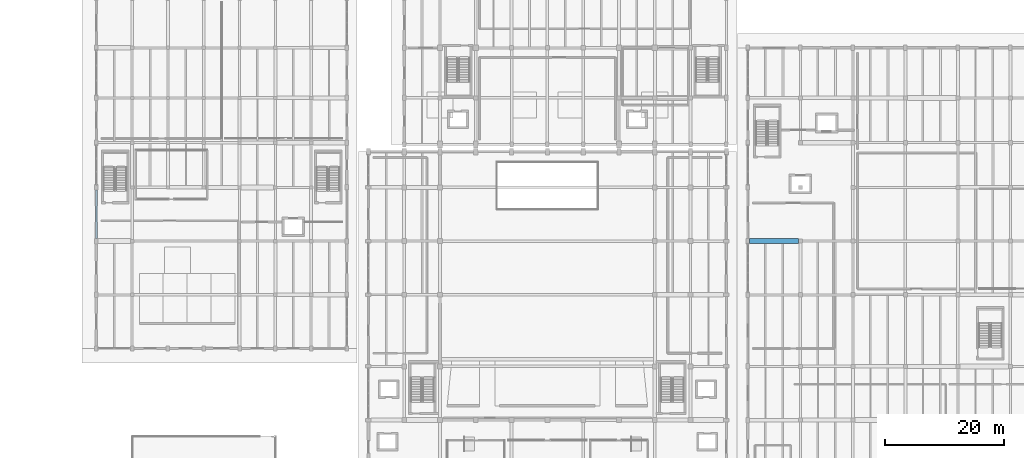
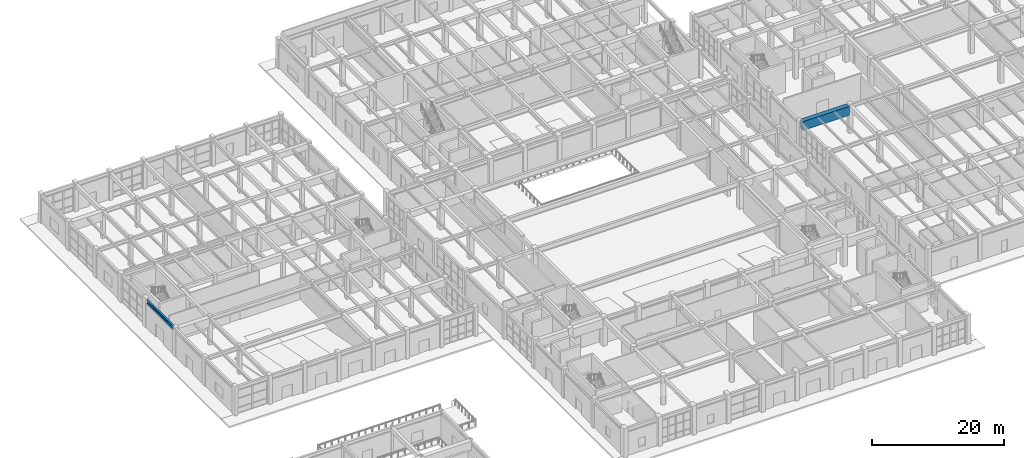
# One storey, part 29 of 91: 2 beams.
"""IFC4 building model written with IfcOpenShell, lengths in metres."""

import ifcopenshell
import ifcopenshell.guid

model = None  # the IFC model being written
_history = None  # IfcOwnerHistory: only IFC2X3 demands one
_inside = {}  # id of a spatial element -> (the spatial element, [elements in it])
_under = {}  # id of a project, library or spatial element -> (it, [spatial elements below it])
_declared = {}  # id of a project -> (the project, [libraries it declares])
_typed = {}  # id of a type object -> (the type object, [elements of that type])
_made_of = {}  # id of a material, layer set ... -> (it, [elements and type objects made of it])


def new_model(schema):
    """Start an empty IFC model of exactly this schema.

    Asked for "IFC4X3", IfcOpenShell would pick the latest addendum, in which some entities
    have other attributes; the version numbers below select the first issue.
    IFC2X3 requires an IfcOwnerHistory on every rooted entity: one is made here for all.
    """
    global model, _history
    if schema == "IFC4X3":
        model = ifcopenshell.file(schema_version=(4, 3, 0, 0))
    else:
        model = ifcopenshell.file(schema=schema)
    _inside.clear()
    _under.clear()
    _declared.clear()
    _typed.clear()
    _made_of.clear()
    _history = None
    if model.schema == "IFC2X3":
        org = make("IfcOrganization", Name="unknown")
        user = make(
            "IfcPersonAndOrganization",
            ThePerson=make("IfcPerson", FamilyName="unknown"),
            TheOrganization=org,
        )
        app = make(
            "IfcApplication",
            ApplicationDeveloper=org,
            Version="unknown",
            ApplicationFullName="unknown",
            ApplicationIdentifier="unknown",
        )
        _history = make(
            "IfcOwnerHistory",
            OwningUser=user,
            OwningApplication=app,
            ChangeAction="ADDED",
            CreationDate=0,
        )
    return model


def make(cls, **values):
    """One entity of the class cls with the attributes given. An attribute that is None is left unset."""
    return model.create_entity(
        cls, **{name: value for name, value in values.items() if value is not None}
    )


def rooted(cls, **values):
    """An entity with a GlobalId (a new one), such as an element, a storey or a relation."""
    return make(cls, GlobalId=ifcopenshell.guid.new(), OwnerHistory=_history, **values)


def si_unit(unit_type, name, prefix=None):
    """IfcSIUnit, for example si_unit("LENGTHUNIT", "METRE", prefix="MILLI")."""
    return make("IfcSIUnit", UnitType=unit_type, Prefix=prefix, Name=name)


def assignment(units):
    """IfcUnitAssignment: the units of a project."""
    return None if units is None else make("IfcUnitAssignment", Units=units)


def point(xyz):
    """IfcCartesianPoint."""
    return None if xyz is None else make("IfcCartesianPoint", Coordinates=xyz)


def direction(xyz):
    """IfcDirection."""
    return None if xyz is None else make("IfcDirection", DirectionRatios=xyz)


def frame(location, z_axis=None, x_axis=None):
    """IfcAxis2Placement3D, a coordinate frame: its origin and axes. An axis left out is left unset."""
    return make(
        "IfcAxis2Placement3D",
        Location=point(location),
        Axis=direction(z_axis),
        RefDirection=direction(x_axis),
    )


def frame_2d(location, x_axis=None):
    """IfcAxis2Placement2D, a coordinate frame in the plane: its origin and x axis."""
    return make(
        "IfcAxis2Placement2D", Location=point(location), RefDirection=direction(x_axis)
    )


def origin():
    """The frame at (0, 0, 0) with its axes left unset."""
    return frame((0.0, 0.0, 0.0))


def origin_2d():
    """The frame at (0, 0) in the plane with its x axis left unset."""
    return frame_2d((0.0, 0.0))


def place(relative_to, where):
    """IfcLocalPlacement: puts the frame where relative to a parent placement (None: the world)."""
    return make(
        "IfcLocalPlacement", PlacementRelTo=relative_to, RelativePlacement=where
    )


def context(
    kind, dimensions, precision=None, world=None, true_north=None, identifier=None
):
    """IfcGeometricRepresentationContext, for example the 3D "Model" context."""
    return make(
        "IfcGeometricRepresentationContext",
        ContextIdentifier=identifier,
        ContextType=kind,
        CoordinateSpaceDimension=dimensions,
        Precision=precision,
        WorldCoordinateSystem=world,
        TrueNorth=true_north,
    )


def subcontext(parent, identifier, kind, view, scale=None):
    """IfcGeometricRepresentationSubContext, for example "Body" below "Model"."""
    return make(
        "IfcGeometricRepresentationSubContext",
        ContextIdentifier=identifier,
        ContextType=kind,
        ParentContext=parent,
        TargetScale=scale,
        TargetView=view,
    )


def project(units=None, contexts=None):
    """IfcProject with its units and contexts."""
    return rooted(
        "IfcProject",
        Name="project",
        RepresentationContexts=contexts,
        UnitsInContext=assignment(units),
    )


def spatial(cls, under=None, at=None, **own):
    """A site, building, storey or space (cls), placed at a placement, below another one or the project."""
    s = rooted(cls, ObjectPlacement=at, **own)
    if under is not None:
        _under.setdefault(under.id(), (under, []))[1].append(s)
    return s


def profile(cls, at=None, kind="AREA", **sizes):
    """A parametric profile (cls). Its sizes go by their IFC names, for example OverallWidth=200.0."""
    return make(cls, ProfileType=kind, Position=at, **sizes)


def rectangle(**sizes):
    """IfcRectangleProfileDef."""
    return profile("IfcRectangleProfileDef", **sizes)


def i_section(**sizes):
    """IfcIShapeProfileDef."""
    return profile("IfcIShapeProfileDef", **sizes)


def extrude(swept, where, along, depth):
    """IfcExtrudedAreaSolid: the profile swept, set in the frame where, extruded along a direction by depth."""
    return make(
        "IfcExtrudedAreaSolid",
        SweptArea=swept,
        Position=where,
        ExtrudedDirection=direction(along),
        Depth=depth,
    )


def shape(context_of_items, identifier, shape_type, items):
    """IfcShapeRepresentation: the items that make up one representation, for example the "Body"."""
    return make(
        "IfcShapeRepresentation",
        ContextOfItems=context_of_items,
        RepresentationIdentifier=identifier,
        RepresentationType=shape_type,
        Items=items,
    )


def material(Name=None, Category=None):
    """IfcMaterial."""
    return make("IfcMaterial", Name=Name, Category=Category)


def material_profile(
    of_material, cross_section, Name=None, Category=None, Priority=None
):
    """IfcMaterialProfile: a cross section and its material."""
    return make(
        "IfcMaterialProfile",
        Name=Name,
        Material=of_material,
        Profile=cross_section,
        Priority=Priority,
        Category=Category,
    )


def profile_set(profiles, Name=None, composite=None):
    """IfcMaterialProfileSet."""
    return make(
        "IfcMaterialProfileSet",
        Name=Name,
        MaterialProfiles=profiles,
        CompositeProfile=composite,
    )


def made_of(thing, what):
    """Note that an element or type object is made of a material, layer set ...; save() writes the relation."""
    if what is not None:
        _made_of.setdefault(what.id(), (what, []))[1].append(thing)
    return thing


def type_object(cls, material=None, **own):
    """A type object (cls), such as IfcWallType, which elements share."""
    return made_of(rooted(cls, **own), material)


def element(
    cls,
    number,
    at=None,
    inside=None,
    cuts=None,
    type_object=None,
    material=None,
    context=None,
    identifier="Body",
    shape_type=None,
    held_by="IfcProductDefinitionShape",
    body=None,
    shapes=None,
    **own,
):
    """One element of the class cls, such as IfcWall. Its Tag is "e" and its number.

    at: its placement. inside: the storey or other place that contains it. cuts: it is an
    opening in that element (IfcRelVoidsElement). A single representation is given by context,
    identifier, shape_type and body (its items); several are given by shapes. held_by: the class
    of the entity that holds the representations. save() writes the other relations.
    """
    e = rooted(cls, Tag="e%d" % number, ObjectPlacement=at, **own)
    if body is not None:
        shapes = [shape(context, identifier, shape_type, body)]
    if shapes is not None:
        e.Representation = make(held_by, Representations=shapes)
    if inside is not None:
        _inside.setdefault(inside.id(), (inside, []))[1].append(e)
    if cuts is not None:
        rooted(
            "IfcRelVoidsElement", RelatingBuildingElement=cuts, RelatedOpeningElement=e
        )
    if type_object is not None:
        _typed.setdefault(type_object.id(), (type_object, []))[1].append(e)
    return made_of(e, material)


def aggregate(whole, parts):
    """IfcRelAggregates: a whole, such as a stair, and the parts it consists of."""
    return rooted("IfcRelAggregates", RelatingObject=whole, RelatedObjects=parts)


def save(model, path):
    """Write the relations noted so far, then the file.

    IfcRelAggregates (storeys below a building ...), IfcRelContainedInSpatialStructure (elements
    in a storey), IfcRelDefinesByType, IfcRelAssociatesMaterial and IfcRelDeclares: one each for
    every whole, place, type object, material and project.
    """
    for whole, parts in _under.values():
        aggregate(whole, parts)
    for where, things in _inside.values():
        rooted(
            "IfcRelContainedInSpatialStructure",
            RelatedElements=things,
            RelatingStructure=where,
        )
    for kind, things in _typed.values():
        rooted("IfcRelDefinesByType", RelatedObjects=things, RelatingType=kind)
    for what, things in _made_of.values():
        rooted("IfcRelAssociatesMaterial", RelatedObjects=things, RelatingMaterial=what)
    for by, libraries in _declared.values():
        rooted("IfcRelDeclares", RelatingContext=by, RelatedDefinitions=libraries)
    model.write(path)


model = new_model("IFC4")

# Units and contexts
model_context = context("Model", 3, precision=1e-05, world=origin(), true_north=direction((0.0, 1.0)))
body_context = subcontext(model_context, "Body", "Model", "MODEL_VIEW")
ifc_project = project(units=[si_unit("LENGTHUNIT", "METRE"), si_unit("AREAUNIT", "SQUARE_METRE"), si_unit("VOLUMEUNIT", "CUBIC_METRE"), si_unit("PLANEANGLEUNIT", "RADIAN"), si_unit("MASSUNIT", "GRAM", prefix="KILO")], contexts=[model_context])

# Site, building, storey
site_placement = place(None, origin())
site = spatial("IfcSite", under=ifc_project, at=site_placement, CompositionType="ELEMENT")
building_placement = place(site_placement, origin())
building = spatial("IfcBuilding", under=site, at=building_placement, Name="Vaelkrest Opera House", CompositionType="ELEMENT")
storey_placement = place(building_placement, origin())
storey = spatial("IfcBuildingStorey", under=building, at=storey_placement, Name="L00", CompositionType="ELEMENT", Elevation=0.0)

# Beams
ifc_material_1 = material(Name="Concrete C50/60", Category="concrete")
ifc_material_profile_1 = material_profile(ifc_material_1, rectangle(XDim=0.800048828125, YDim=1.64990234375, at=origin_2d()), Name="RCB800X1650")
ifc_profile_set_1 = profile_set([ifc_material_profile_1], Name="Concrete C50/60")
beam_type_1 = type_object("IfcBeamType", Name="B07", PredefinedType="BEAM", material=ifc_profile_set_1)
beam_1_placement = place(storey_placement, frame((33.89990234375, 1.199951171875, 4.2548828125), z_axis=(1.0, 0.0, 0.0), x_axis=(0.0, 1.0, 0.0)))
element("IfcBeam", 1, at=beam_1_placement, inside=storey, type_object=beam_type_1, Name="Beam BM-V4-L00-1968", PredefinedType="BEAM", context=body_context, shape_type="SweptSolid", body=[
    extrude(rectangle(XDim=0.800048828125, YDim=1.64990234375, at=origin_2d()), origin(), (0.0, 0.0, 1.0), 8.150146484375),
])
ifc_material_2 = material(Name="Steel A992 Gr50", Category="steel")
ifc_material_profile_2 = material_profile(ifc_material_2, i_section(OverallWidth=0.323974609375, OverallDepth=0.611083984375, WebThickness=0.0126953125, FlangeThickness=0.01904296875, at=origin_2d()), Name="W24X104")
ifc_profile_set_2 = profile_set([ifc_material_profile_2], Name="Steel A992 Gr50")
beam_type_2 = type_object("IfcBeamType", Name="SP01", PredefinedType="SPANDREL", material=ifc_profile_set_2)
beam_2_placement = place(storey_placement, frame((-75.60009765625, 1.64990234375, 4.7744140625), z_axis=(0.0, 1.0, 0.0), x_axis=(-1.0, 0.0, 0.0)))
element("IfcBeam", 2, at=beam_2_placement, inside=storey, type_object=beam_type_2, Name="Beam BM-V3-L00-1432", PredefinedType="SPANDREL", context=body_context, shape_type="SweptSolid", body=[
    extrude(i_section(OverallWidth=0.323974609375, OverallDepth=0.611083984375, WebThickness=0.0126953125, FlangeThickness=0.01904296875, at=origin_2d()), origin(), (0.0, 0.0, 1.0), 8.10009765625),
])

save(model, "model.ifc")
